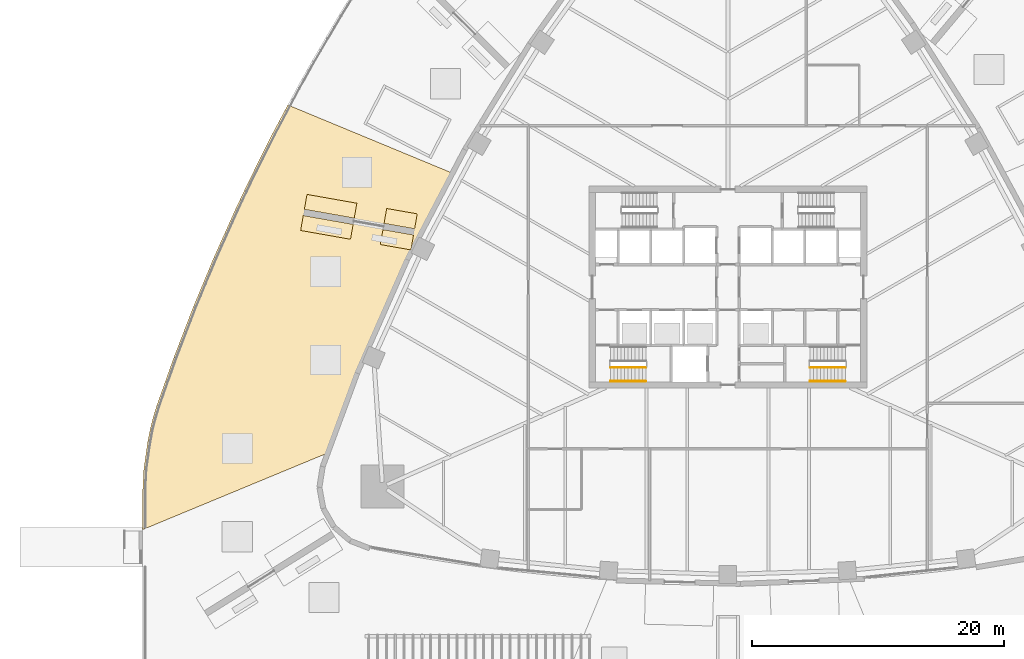
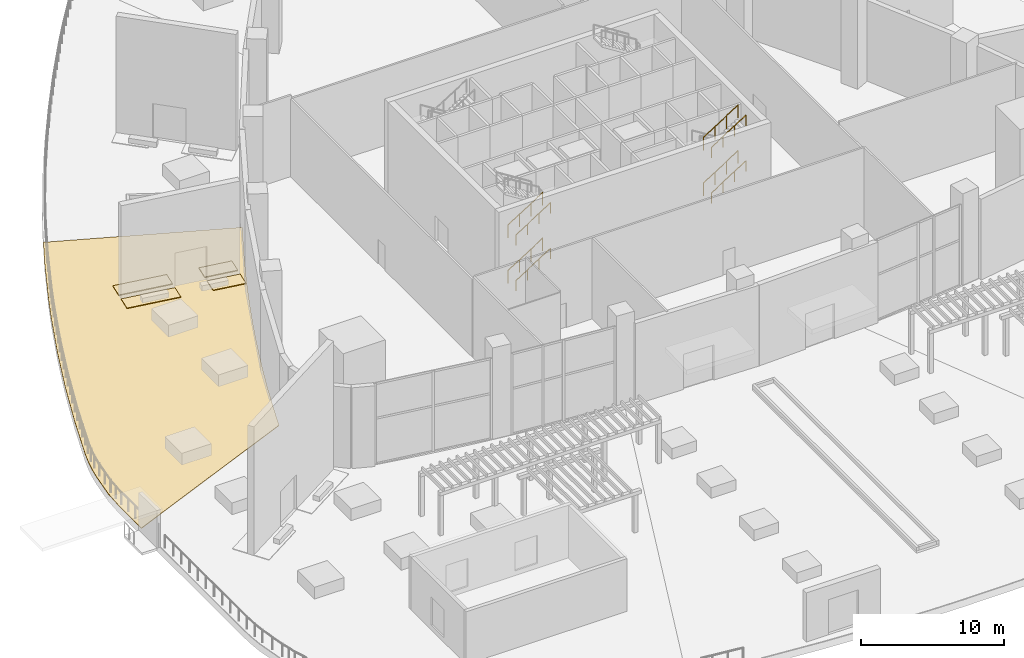
# One storey, part 15 of 20: 8 railings, 5 coverings.
"""IFC4 building model written with IfcOpenShell, lengths in metres."""

from ifc_helpers import new_model, si_unit, direction, frame, origin, origin_2d, place, context, subcontext, project, spatial, polyline, circle, outline, extrude, material, layer, layer_set, type_object, element, save


model = new_model("IFC4")

# Units and contexts
model_context = context("Model", 3, precision=1e-05, world=origin(), true_north=direction((0.0, 1.0)))
body_context = subcontext(model_context, "Body", "Model", "MODEL_VIEW")
ifc_project = project(units=[si_unit("LENGTHUNIT", "METRE"), si_unit("AREAUNIT", "SQUARE_METRE"), si_unit("VOLUMEUNIT", "CUBIC_METRE"), si_unit("PLANEANGLEUNIT", "RADIAN"), si_unit("MASSUNIT", "GRAM", prefix="KILO")], contexts=[model_context])

# Site, building, storey
site_placement = place(None, origin())
site = spatial("IfcSite", under=ifc_project, at=site_placement, CompositionType="ELEMENT")
building_placement = place(site_placement, origin())
building = spatial("IfcBuilding", under=site, at=building_placement, Name="Sierra Prisma Convention Tower", CompositionType="ELEMENT")
storey_placement = place(building_placement, frame((0.0, 0.0, 9.0)))
storey = spatial("IfcBuildingStorey", under=building, at=storey_placement, Name="L01", CompositionType="ELEMENT", Elevation=9.0)

# Covering
ifc_material_1 = material(Name="Natural limestone pavers", Category="masonry")
ifc_layer_1 = layer(ifc_material_1, 0.06005859375)
ifc_layer_set_1 = layer_set([ifc_layer_1], Name="Deck paving, stone pavers")
covering_type_1 = type_object("IfcCoveringType", Name="Deck paving, stone pavers", PredefinedType="FLOORING", material=ifc_layer_set_1)
covering_1_placement = place(storey_placement, frame((0.0, 0.0, -0.06005859375)))
element("IfcCovering", 1, at=covering_1_placement, inside=storey, type_object=covering_type_1, Name="Deck paving 7", PredefinedType="FLOORING", context=body_context, shape_type="SweptSolid", body=[
    extrude(outline(polyline([(-46.3544921875, -19.20068359375), (-31.728515625, -13.142333984375), (-31.447998046875, -12.331787109375), (-30.779541015625, -10.48193359375), (-30.0859375, -8.6416015625), (-29.367431640625, -6.810546875), (-28.6240234375, -4.98974609375), (-27.85595703125, -3.178955078125), (-27.0634765625, -1.37890625), (-26.246337890625, 0.41015625), (-25.405029296875, 2.18798828125), (-24.539794921875, 3.954345703125), (-23.650390625, 5.70849609375), (-22.7373046875, 7.45068359375), (-21.866943359375, 9.0576171875), (-34.861083984375, 14.43994140625), (-36.06591796875, 12.177978515625), (-37.962158203125, 8.37841796875), (-38.99560546875, 6.19482421875), (-40.73095703125, 2.3193359375), (-42.341796875, -1.551025390625), (-43.89208984375, -5.577392578125), (-45.2490234375, -9.4033203125), (-45.5478515625, -10.3740234375), (-45.761962890625, -11.231201171875), (-45.954833984375, -12.228515625), (-46.26611328125, -14.379638671875), (-46.3544921875, -16.05712890625), (-46.3544921875, -19.20068359375)])), origin(), (0.0, 0.0, 1.0), 0.06005859375),
])

# Railings
ifc_material_2 = material(Name="Stainless steel", Category="steel")
railing_type_1 = type_object("IfcRailingType", Name="Exit stair handrail", PredefinedType="HANDRAIL", material=ifc_material_2)
for number, where, name in (
    (2, (-9.300048828125, -7.449951171875, 0.17724609375), "L01 S1 stair handrail 1"),
    (3, (-9.300048828125, -7.449951171875, 4.077392578125), "L01 S1 stair handrail 3"),
    (4, (6.5, -7.449951171875, 2.127197265625), "L01 S2 stair handrail 2"),
    (5, (6.5, -7.449951171875, 6.02734375), "L01 S2 stair handrail 4"),
):
    element("IfcRailing", number, at=place(storey_placement, frame(where)), inside=storey, type_object=railing_type_1, Name=name, PredefinedType="HANDRAIL", context=body_context, shape_type="SweptSolid", body=[
        extrude(circle(Radius=0.02392578125, at=origin_2d()), frame((0.0, 0.0, 0.8759765625), z_axis=(0.844908973607, 0.0, 0.534910110503), x_axis=(0.0, 1.0, 0.0)), (0.0, 0.0, 1.0), 3.31396484375),
        extrude(circle(Radius=0.02099609375, at=origin_2d()), origin(), (0.0, 0.0, 1.0), 0.851806640625),
        extrude(circle(Radius=0.02099609375, at=origin_2d()), frame((0.933349609375, 0.0, 0.5908203125)), (0.0, 0.0, 1.0), 0.851806640625),
        extrude(circle(Radius=0.02099609375, at=origin_2d()), frame((1.86669921875, 0.0, 1.181884765625)), (0.0, 0.0, 1.0), 0.851806640625),
        extrude(circle(Radius=0.02099609375, at=origin_2d()), frame((2.800048828125, 0.0, 1.772705078125)), (0.0, 0.0, 1.0), 0.851806640625),
    ])

# Coverings
ifc_material_3 = material(Name="Crushed limestone gravel", Category="masonry")
ifc_layer_2 = layer(ifc_material_3, 0.050048828125)
ifc_layer_set_2 = layer_set([ifc_layer_2], Name="Gravel border")
covering_type_2 = type_object("IfcCoveringType", Name="Gravel border", PredefinedType="FLOORING", material=ifc_layer_set_2)
covering_2_placement = place(storey_placement, origin())
element("IfcCovering", 6, at=covering_2_placement, inside=storey, type_object=covering_type_2, Name="Wind-scour gravel border", PredefinedType="FLOORING", context=body_context, shape_type="SweptSolid", body=[
    extrude(outline(polyline([(-24.902099609375, 4.13720703125), (-27.32275390625, 4.56396484375), (-27.53125, 3.382080078125), (-25.110595703125, 2.955322265625), (-24.902099609375, 4.13720703125)])), origin(), (0.0, 0.0, 1.0), 0.050048828125),
])
covering_3_placement = place(storey_placement, origin())
element("IfcCovering", 7, at=covering_3_placement, inside=storey, type_object=covering_type_2, Name="Wind-scour gravel border", PredefinedType="FLOORING", context=body_context, shape_type="SweptSolid", body=[
    extrude(outline(polyline([(-24.815185546875, 4.62939453125), (-27.236083984375, 5.056396484375), (-27.027587890625, 6.238037109375), (-24.60693359375, 5.811279296875), (-24.815185546875, 4.62939453125)])), origin(), (0.0, 0.0, 1.0), 0.050048828125),
])
covering_4_placement = place(storey_placement, origin())
element("IfcCovering", 8, at=covering_4_placement, inside=storey, type_object=covering_type_2, Name="Wind-scour gravel border", PredefinedType="FLOORING", context=body_context, shape_type="SweptSolid", body=[
    extrude(outline(polyline([(-29.686279296875, 4.980712890625), (-33.635986328125, 5.677001953125), (-33.84423828125, 4.495361328125), (-29.894775390625, 3.798828125), (-29.686279296875, 4.980712890625)])), origin(), (0.0, 0.0, 1.0), 0.050048828125),
])
covering_5_placement = place(storey_placement, origin())
element("IfcCovering", 9, at=covering_5_placement, inside=storey, type_object=covering_type_2, Name="Wind-scour gravel border", PredefinedType="FLOORING", context=body_context, shape_type="SweptSolid", body=[
    extrude(outline(polyline([(-29.599609375, 5.472900390625), (-33.549072265625, 6.16943359375), (-33.3408203125, 7.351318359375), (-29.39111328125, 6.65478515625), (-29.599609375, 5.472900390625)])), origin(), (0.0, 0.0, 1.0), 0.050048828125),
])

# Railings
ifc_material_4 = material(Name="Stainless steel", Category="steel")
railing_type_2 = type_object("IfcRailingType", Name="Stair guard 1100", PredefinedType="GUARDRAIL", material=ifc_material_4)
for number, where, name in (
    (10, (-9.300048828125, -6.35009765625, 0.17724609375), "L01 S1 stair guard 1"),
    (11, (-9.300048828125, -6.35009765625, 4.077392578125), "L01 S1 stair guard 5"),
    (12, (6.5, -6.35009765625, 2.127197265625), "L01 S2 stair guard 3"),
    (13, (6.5, -6.35009765625, 6.02734375), "L01 S2 stair guard 7"),
):
    element("IfcRailing", number, at=place(storey_placement, frame(where)), inside=storey, type_object=railing_type_2, Name=name, PredefinedType="GUARDRAIL", context=body_context, shape_type="SweptSolid", body=[
        extrude(circle(Radius=0.02392578125, at=origin_2d()), frame((0.0, 0.0, 1.076171875), z_axis=(0.844908973607, 0.0, 0.534910110503), x_axis=(0.0, 1.0, 0.0)), (0.0, 0.0, 1.0), 3.31396484375),
        extrude(circle(Radius=0.02099609375, at=origin_2d()), origin(), (0.0, 0.0, 1.0), 1.052001953125),
        extrude(circle(Radius=0.02099609375, at=origin_2d()), frame((0.933349609375, 0.0, 0.5908203125)), (0.0, 0.0, 1.0), 1.052001953125),
        extrude(circle(Radius=0.02099609375, at=origin_2d()), frame((1.86669921875, 0.0, 1.181884765625)), (0.0, 0.0, 1.0), 1.052001953125),
        extrude(circle(Radius=0.02099609375, at=origin_2d()), frame((2.800048828125, 0.0, 1.772705078125)), (0.0, 0.0, 1.0), 1.052001953125),
    ])

save(model, "model.ifc")
